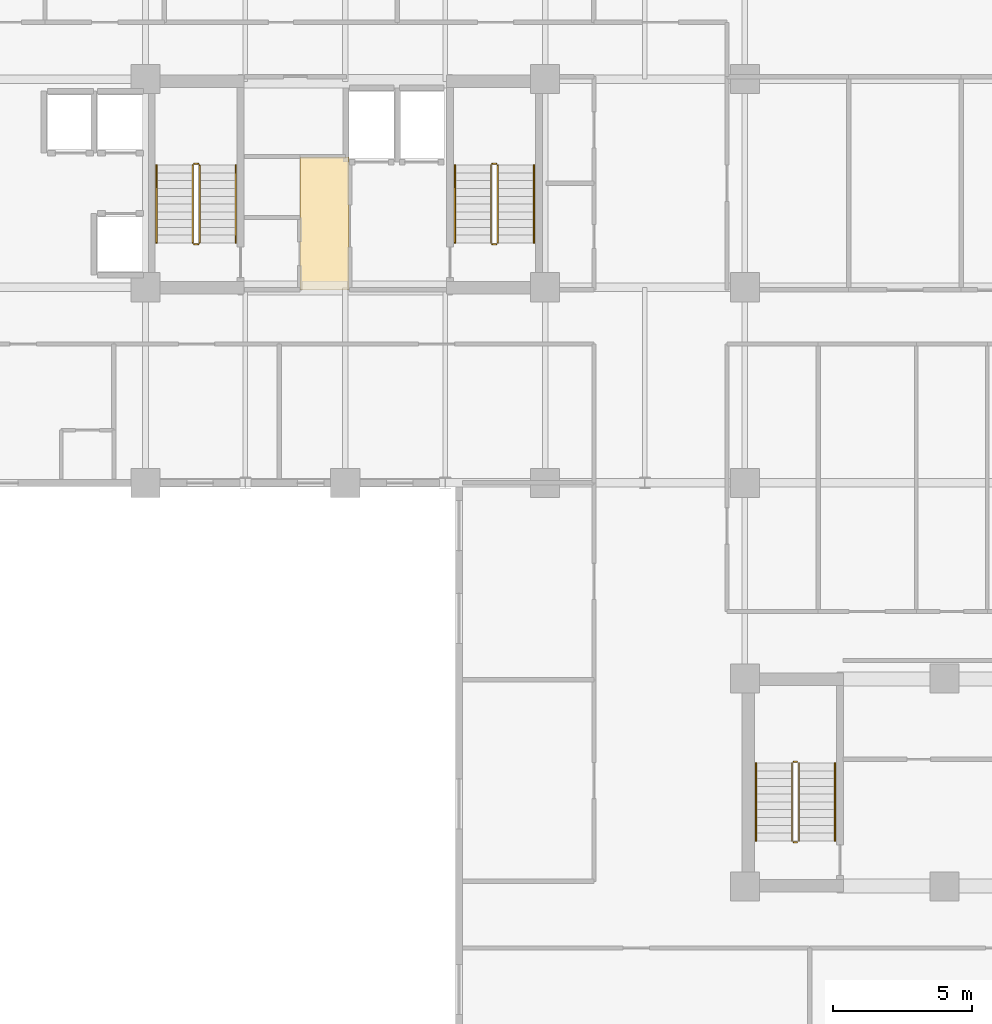
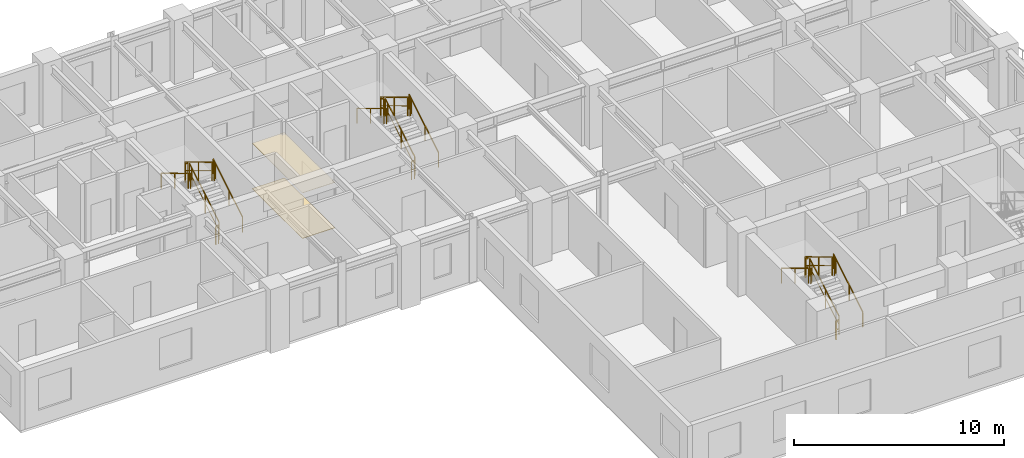
# One storey, part 10 of 12: 18 railings, 2 coverings.
"""IFC4 building model written with IfcOpenShell, lengths in metres."""

from ifc_helpers import new_model, si_unit, direction, frame, origin, origin_2d, place, context, subcontext, project, spatial, rectangle, extrude, source, transform, mapped, material, layer, layer_set, type_object, element, save


model = new_model("IFC4")

# Units and contexts
model_context = context("Model", 3, precision=1e-05, world=origin(), true_north=direction((0.0, 1.0)))
body_context = subcontext(model_context, "Body", "Model", "MODEL_VIEW")
ifc_project = project(units=[si_unit("LENGTHUNIT", "METRE"), si_unit("AREAUNIT", "SQUARE_METRE"), si_unit("VOLUMEUNIT", "CUBIC_METRE"), si_unit("PLANEANGLEUNIT", "RADIAN"), si_unit("MASSUNIT", "GRAM", prefix="KILO")], contexts=[model_context])

# Site, building, storey
site_placement = place(None, origin())
site = spatial("IfcSite", under=ifc_project, at=site_placement, CompositionType="ELEMENT")
building_placement = place(site_placement, origin())
building = spatial("IfcBuilding", under=site, at=building_placement, Name="Kaliganga Portal Commons", CompositionType="ELEMENT")
storey_placement = place(building_placement, frame((0.0, 0.0, 147.60009765625)))
storey = spatial("IfcBuildingStorey", under=building, at=storey_placement, Name="L37", CompositionType="ELEMENT", Elevation=147.60009765625)

# Railings
ifc_material_1 = material(Name="Galvanized Painted Steel Balustrade", Category="steel")
railing_type_1 = type_object("IfcRailingType", Name="RLG-STAIR-GRD", PredefinedType="GUARDRAIL", material=ifc_material_1)
railing_1_placement = place(storey_placement, frame((16.35009765625, 30.25, 0.16796875)))
element("IfcRailing", 1, at=railing_1_placement, inside=storey, type_object=railing_type_1, Name="L37 ST-A1 stair guard 1", PredefinedType="GUARDRAIL", context=body_context, shape_type="SweptSolid", body=[
    extrude(rectangle(XDim=0.048095703125, YDim=0.048095703125, at=origin_2d()), frame((0.0, 0.0, 1.072021484375), z_axis=(0.0, 0.857242210791, 0.514913383045), x_axis=(-1.0, 0.0, 0.0)), (0.0, 0.0, 1.0), 3.266357421875),
    extrude(rectangle(XDim=0.028076171875, YDim=0.028076171875, at=origin_2d()), frame((0.0, 0.0, 0.572021484375), z_axis=(0.0, 0.857242210791, 0.514913383045), x_axis=(-1.0, 0.0, 0.0)), (0.0, 0.0, 1.0), 3.266357421875),
    extrude(rectangle(XDim=0.0419921875, YDim=0.0419921875, at=origin_2d()), origin(), (0.0, 0.0, 1.0), 1.052001953125),
    extrude(rectangle(XDim=0.0419921875, YDim=0.0419921875, at=origin_2d()), frame((0.0, 1.285888671875, 0.7724609375)), (0.0, 0.0, 1.0), 1.052001953125),
    extrude(rectangle(XDim=0.0419921875, YDim=0.0419921875, at=origin_2d()), frame((0.0, 2.57177734375, 1.544677734375)), (0.0, 0.0, 1.0), 1.052001953125),
    extrude(rectangle(XDim=0.0419921875, YDim=0.0419921875, at=origin_2d()), frame((0.0, 2.800048828125, 1.681884765625)), (0.0, 0.0, 1.0), 1.052001953125),
])
railing_2_placement = place(storey_placement, frame((16.300048828125, 33.10009765625, 1.849853515625)))
element("IfcRailing", 2, at=railing_2_placement, inside=storey, type_object=railing_type_1, Name="L37 ST-A1 stair guard 2", PredefinedType="GUARDRAIL", context=body_context, shape_type="SweptSolid", body=[
    extrude(rectangle(XDim=0.048095703125, YDim=0.048095703125, at=origin_2d()), frame((0.0, 0.0, 1.076171875), z_axis=(-1.0, 0.0, 0.0), x_axis=(0.0, -1.0, 0.0)), (0.0, 0.0, 1.0), 0.150146484375),
    extrude(rectangle(XDim=0.028076171875, YDim=0.028076171875, at=origin_2d()), frame((0.0, 0.0, 0.572021484375), z_axis=(-1.0, 0.0, 0.0), x_axis=(0.0, -1.0, 0.0)), (0.0, 0.0, 1.0), 0.150146484375),
    extrude(rectangle(XDim=0.0419921875, YDim=0.0419921875, at=origin_2d()), origin(), (0.0, 0.0, 1.0), 1.052001953125),
    extrude(rectangle(XDim=0.0419921875, YDim=0.0419921875, at=origin_2d()), frame((-0.150146484375, 0.0, 0.0)), (0.0, 0.0, 1.0), 1.052001953125),
])
railing_3_placement = place(storey_placement, frame((16.10009765625, 33.050048828125, 2.01806640625)))
element("IfcRailing", 3, at=railing_3_placement, inside=storey, type_object=railing_type_1, Name="L37 ST-A1 stair guard 3", PredefinedType="GUARDRAIL", context=body_context, shape_type="SweptSolid", body=[
    extrude(rectangle(XDim=0.048095703125, YDim=0.048095703125, at=origin_2d()), frame((0.0, 0.0, 1.072021484375), z_axis=(0.0, -0.857242210791, 0.514913383045), x_axis=(1.0, 0.0, 0.0)), (0.0, 0.0, 1.0), 3.266357421875),
    extrude(rectangle(XDim=0.028076171875, YDim=0.028076171875, at=origin_2d()), frame((0.0, 0.0, 0.572021484375), z_axis=(0.0, -0.857242210791, 0.514913383045), x_axis=(1.0, 0.0, 0.0)), (0.0, 0.0, 1.0), 3.266357421875),
    extrude(rectangle(XDim=0.0419921875, YDim=0.0419921875, at=origin_2d()), origin(), (0.0, 0.0, 1.0), 1.052001953125),
    extrude(rectangle(XDim=0.0419921875, YDim=0.0419921875, at=origin_2d()), frame((0.0, -1.285888671875, 0.7724609375)), (0.0, 0.0, 1.0), 1.052001953125),
    extrude(rectangle(XDim=0.0419921875, YDim=0.0419921875, at=origin_2d()), frame((0.0, -2.57177734375, 1.544677734375)), (0.0, 0.0, 1.0), 1.052001953125),
    extrude(rectangle(XDim=0.0419921875, YDim=0.0419921875, at=origin_2d()), frame((0.0, -2.800048828125, 1.681884765625)), (0.0, 0.0, 1.0), 1.052001953125),
])
railing_4_placement = place(storey_placement, frame((16.300048828125, 30.199951171875, 0.0)))
element("IfcRailing", 4, at=railing_4_placement, inside=storey, type_object=railing_type_1, Name="L37 ST-A1 stair guard 4", PredefinedType="GUARDRAIL", context=body_context, shape_type="SweptSolid", body=[
    extrude(rectangle(XDim=0.048095703125, YDim=0.048095703125, at=origin_2d()), frame((0.0, 0.0, 1.076171875), z_axis=(-1.0, 0.0, 0.0), x_axis=(0.0, -1.0, 0.0)), (0.0, 0.0, 1.0), 0.150146484375),
    extrude(rectangle(XDim=0.028076171875, YDim=0.028076171875, at=origin_2d()), frame((0.0, 0.0, 0.572021484375), z_axis=(-1.0, 0.0, 0.0), x_axis=(0.0, -1.0, 0.0)), (0.0, 0.0, 1.0), 0.150146484375),
    extrude(rectangle(XDim=0.0419921875, YDim=0.0419921875, at=origin_2d()), origin(), (0.0, 0.0, 1.0), 1.052001953125),
    extrude(rectangle(XDim=0.0419921875, YDim=0.0419921875, at=origin_2d()), frame((-0.150146484375, 0.0, 0.0)), (0.0, 0.0, 1.0), 1.052001953125),
])
railing_5_placement = place(storey_placement, frame((27.10009765625, 30.25, 0.16796875)))
element("IfcRailing", 5, at=railing_5_placement, inside=storey, type_object=railing_type_1, Name="L37 ST-A2 stair guard 1", PredefinedType="GUARDRAIL", context=body_context, shape_type="SweptSolid", body=[
    extrude(rectangle(XDim=0.048095703125, YDim=0.048095703125, at=origin_2d()), frame((0.0, 0.0, 1.072021484375), z_axis=(0.0, 0.857242210791, 0.514913383045), x_axis=(-1.0, 0.0, 0.0)), (0.0, 0.0, 1.0), 3.266357421875),
    extrude(rectangle(XDim=0.028076171875, YDim=0.028076171875, at=origin_2d()), frame((0.0, 0.0, 0.572021484375), z_axis=(0.0, 0.857242210791, 0.514913383045), x_axis=(-1.0, 0.0, 0.0)), (0.0, 0.0, 1.0), 3.266357421875),
    extrude(rectangle(XDim=0.0419921875, YDim=0.0419921875, at=origin_2d()), origin(), (0.0, 0.0, 1.0), 1.052001953125),
    extrude(rectangle(XDim=0.0419921875, YDim=0.0419921875, at=origin_2d()), frame((0.0, 1.285888671875, 0.7724609375)), (0.0, 0.0, 1.0), 1.052001953125),
    extrude(rectangle(XDim=0.0419921875, YDim=0.0419921875, at=origin_2d()), frame((0.0, 2.57177734375, 1.544677734375)), (0.0, 0.0, 1.0), 1.052001953125),
    extrude(rectangle(XDim=0.0419921875, YDim=0.0419921875, at=origin_2d()), frame((0.0, 2.800048828125, 1.681884765625)), (0.0, 0.0, 1.0), 1.052001953125),
])
railing_6_placement = place(storey_placement, frame((27.050048828125, 33.10009765625, 1.849853515625)))
element("IfcRailing", 6, at=railing_6_placement, inside=storey, type_object=railing_type_1, Name="L37 ST-A2 stair guard 2", PredefinedType="GUARDRAIL", context=body_context, shape_type="SweptSolid", body=[
    extrude(rectangle(XDim=0.048095703125, YDim=0.048095703125, at=origin_2d()), frame((0.0, 0.0, 1.076171875), z_axis=(-1.0, 0.0, 0.0), x_axis=(0.0, -1.0, 0.0)), (0.0, 0.0, 1.0), 0.150146484375),
    extrude(rectangle(XDim=0.028076171875, YDim=0.028076171875, at=origin_2d()), frame((0.0, 0.0, 0.572021484375), z_axis=(-1.0, 0.0, 0.0), x_axis=(0.0, -1.0, 0.0)), (0.0, 0.0, 1.0), 0.150146484375),
    extrude(rectangle(XDim=0.0419921875, YDim=0.0419921875, at=origin_2d()), origin(), (0.0, 0.0, 1.0), 1.052001953125),
    extrude(rectangle(XDim=0.0419921875, YDim=0.0419921875, at=origin_2d()), frame((-0.150146484375, 0.0, 0.0)), (0.0, 0.0, 1.0), 1.052001953125),
])
railing_7_placement = place(storey_placement, frame((26.85009765625, 33.050048828125, 2.01806640625)))
element("IfcRailing", 7, at=railing_7_placement, inside=storey, type_object=railing_type_1, Name="L37 ST-A2 stair guard 3", PredefinedType="GUARDRAIL", context=body_context, shape_type="SweptSolid", body=[
    extrude(rectangle(XDim=0.048095703125, YDim=0.048095703125, at=origin_2d()), frame((0.0, 0.0, 1.072021484375), z_axis=(0.0, -0.857242210791, 0.514913383045), x_axis=(1.0, 0.0, 0.0)), (0.0, 0.0, 1.0), 3.266357421875),
    extrude(rectangle(XDim=0.028076171875, YDim=0.028076171875, at=origin_2d()), frame((0.0, 0.0, 0.572021484375), z_axis=(0.0, -0.857242210791, 0.514913383045), x_axis=(1.0, 0.0, 0.0)), (0.0, 0.0, 1.0), 3.266357421875),
    extrude(rectangle(XDim=0.0419921875, YDim=0.0419921875, at=origin_2d()), origin(), (0.0, 0.0, 1.0), 1.052001953125),
    extrude(rectangle(XDim=0.0419921875, YDim=0.0419921875, at=origin_2d()), frame((0.0, -1.285888671875, 0.7724609375)), (0.0, 0.0, 1.0), 1.052001953125),
    extrude(rectangle(XDim=0.0419921875, YDim=0.0419921875, at=origin_2d()), frame((0.0, -2.57177734375, 1.544677734375)), (0.0, 0.0, 1.0), 1.052001953125),
    extrude(rectangle(XDim=0.0419921875, YDim=0.0419921875, at=origin_2d()), frame((0.0, -2.800048828125, 1.681884765625)), (0.0, 0.0, 1.0), 1.052001953125),
])
railing_8_placement = place(storey_placement, frame((27.050048828125, 30.199951171875, 0.0)))
element("IfcRailing", 8, at=railing_8_placement, inside=storey, type_object=railing_type_1, Name="L37 ST-A2 stair guard 4", PredefinedType="GUARDRAIL", context=body_context, shape_type="SweptSolid", body=[
    extrude(rectangle(XDim=0.048095703125, YDim=0.048095703125, at=origin_2d()), frame((0.0, 0.0, 1.076171875), z_axis=(-1.0, 0.0, 0.0), x_axis=(0.0, -1.0, 0.0)), (0.0, 0.0, 1.0), 0.150146484375),
    extrude(rectangle(XDim=0.028076171875, YDim=0.028076171875, at=origin_2d()), frame((0.0, 0.0, 0.572021484375), z_axis=(-1.0, 0.0, 0.0), x_axis=(0.0, -1.0, 0.0)), (0.0, 0.0, 1.0), 0.150146484375),
    extrude(rectangle(XDim=0.0419921875, YDim=0.0419921875, at=origin_2d()), origin(), (0.0, 0.0, 1.0), 1.052001953125),
    extrude(rectangle(XDim=0.0419921875, YDim=0.0419921875, at=origin_2d()), frame((-0.150146484375, 0.0, 0.0)), (0.0, 0.0, 1.0), 1.052001953125),
])
railing_9_placement = place(storey_placement, frame((37.949951171875, 8.699951171875, 0.16796875)))
element("IfcRailing", 9, at=railing_9_placement, inside=storey, type_object=railing_type_1, Name="L37 ST-B1 stair guard 1", PredefinedType="GUARDRAIL", context=body_context, shape_type="SweptSolid", body=[
    extrude(rectangle(XDim=0.048095703125, YDim=0.048095703125, at=origin_2d()), frame((0.0, 0.0, 1.072021484375), z_axis=(0.0, 0.857242210791, 0.514913383045), x_axis=(-1.0, 0.0, 0.0)), (0.0, 0.0, 1.0), 3.266357421875),
    extrude(rectangle(XDim=0.028076171875, YDim=0.028076171875, at=origin_2d()), frame((0.0, 0.0, 0.572021484375), z_axis=(0.0, 0.857242210791, 0.514913383045), x_axis=(-1.0, 0.0, 0.0)), (0.0, 0.0, 1.0), 3.266357421875),
    extrude(rectangle(XDim=0.0419921875, YDim=0.0419921875, at=origin_2d()), origin(), (0.0, 0.0, 1.0), 1.052001953125),
    extrude(rectangle(XDim=0.0419921875, YDim=0.0419921875, at=origin_2d()), frame((0.0, 1.285888671875, 0.7724609375)), (0.0, 0.0, 1.0), 1.052001953125),
    extrude(rectangle(XDim=0.0419921875, YDim=0.0419921875, at=origin_2d()), frame((0.0, 2.57177734375, 1.544677734375)), (0.0, 0.0, 1.0), 1.052001953125),
    extrude(rectangle(XDim=0.0419921875, YDim=0.0419921875, at=origin_2d()), frame((0.0, 2.800048828125, 1.681884765625)), (0.0, 0.0, 1.0), 1.052001953125),
])
railing_10_placement = place(storey_placement, frame((37.89990234375, 11.550048828125, 1.849853515625)))
element("IfcRailing", 10, at=railing_10_placement, inside=storey, type_object=railing_type_1, Name="L37 ST-B1 stair guard 2", PredefinedType="GUARDRAIL", context=body_context, shape_type="SweptSolid", body=[
    extrude(rectangle(XDim=0.048095703125, YDim=0.048095703125, at=origin_2d()), frame((0.0, 0.0, 1.076171875), z_axis=(-1.0, 0.0, 0.0), x_axis=(0.0, -1.0, 0.0)), (0.0, 0.0, 1.0), 0.14990234375),
    extrude(rectangle(XDim=0.028076171875, YDim=0.028076171875, at=origin_2d()), frame((0.0, 0.0, 0.572021484375), z_axis=(-1.0, 0.0, 0.0), x_axis=(0.0, -1.0, 0.0)), (0.0, 0.0, 1.0), 0.14990234375),
    extrude(rectangle(XDim=0.0419921875, YDim=0.0419921875, at=origin_2d()), frame((-0.14990234375, 0.0, 0.0)), (0.0, 0.0, 1.0), 1.052001953125),
])
railing_11_placement = place(storey_placement, frame((37.699951171875, 11.5, 2.01806640625)))
element("IfcRailing", 11, at=railing_11_placement, inside=storey, type_object=railing_type_1, Name="L37 ST-B1 stair guard 3", PredefinedType="GUARDRAIL", context=body_context, shape_type="SweptSolid", body=[
    extrude(rectangle(XDim=0.048095703125, YDim=0.048095703125, at=origin_2d()), frame((0.0, 0.0, 1.072021484375), z_axis=(0.0, -0.857242210791, 0.514913383045), x_axis=(1.0, 0.0, 0.0)), (0.0, 0.0, 1.0), 3.266357421875),
    extrude(rectangle(XDim=0.028076171875, YDim=0.028076171875, at=origin_2d()), frame((0.0, 0.0, 0.572021484375), z_axis=(0.0, -0.857242210791, 0.514913383045), x_axis=(1.0, 0.0, 0.0)), (0.0, 0.0, 1.0), 3.266357421875),
    extrude(rectangle(XDim=0.0419921875, YDim=0.0419921875, at=origin_2d()), origin(), (0.0, 0.0, 1.0), 1.052001953125),
    extrude(rectangle(XDim=0.0419921875, YDim=0.0419921875, at=origin_2d()), frame((0.0, -1.285888671875, 0.7724609375)), (0.0, 0.0, 1.0), 1.052001953125),
    extrude(rectangle(XDim=0.0419921875, YDim=0.0419921875, at=origin_2d()), frame((0.0, -2.57177734375, 1.544677734375)), (0.0, 0.0, 1.0), 1.052001953125),
    extrude(rectangle(XDim=0.0419921875, YDim=0.0419921875, at=origin_2d()), frame((0.0, -2.800048828125, 1.681884765625)), (0.0, 0.0, 1.0), 1.052001953125),
])
railing_12_placement = place(storey_placement, frame((37.89990234375, 8.64990234375, 0.0)))
element("IfcRailing", 12, at=railing_12_placement, inside=storey, type_object=railing_type_1, Name="L37 ST-B1 stair guard 4", PredefinedType="GUARDRAIL", context=body_context, shape_type="SweptSolid", body=[
    extrude(rectangle(XDim=0.048095703125, YDim=0.048095703125, at=origin_2d()), frame((0.0, 0.0, 1.076171875), z_axis=(-1.0, 0.0, 0.0), x_axis=(0.0, -1.0, 0.0)), (0.0, 0.0, 1.0), 0.14990234375),
    extrude(rectangle(XDim=0.028076171875, YDim=0.028076171875, at=origin_2d()), frame((0.0, 0.0, 0.572021484375), z_axis=(-1.0, 0.0, 0.0), x_axis=(0.0, -1.0, 0.0)), (0.0, 0.0, 1.0), 0.14990234375),
    extrude(rectangle(XDim=0.0419921875, YDim=0.0419921875, at=origin_2d()), frame((-0.14990234375, 0.0, 0.0)), (0.0, 0.0, 1.0), 1.052001953125),
])
ifc_material_2 = material(Name="Brushed Stainless Steel 316", Category="steel")
railing_type_2 = type_object("IfcRailingType", Name="RLG-STAIR-HR", PredefinedType="HANDRAIL", material=ifc_material_2)
railing_13_placement = place(storey_placement, frame((17.64990234375, 30.25, 0.16796875)))
element("IfcRailing", 13, at=railing_13_placement, inside=storey, type_object=railing_type_2, Name="L37 ST-A1 stair handrail 1", PredefinedType="HANDRAIL", context=body_context, shape_type="SweptSolid", body=[
    extrude(rectangle(XDim=0.048095703125, YDim=0.048095703125, at=origin_2d()), frame((0.0, 0.0, 0.871826171875), z_axis=(0.0, 0.857242210791, 0.514913383045), x_axis=(-1.0, 0.0, 0.0)), (0.0, 0.0, 1.0), 3.266357421875),
    extrude(rectangle(XDim=0.0419921875, YDim=0.0419921875, at=origin_2d()), origin(), (0.0, 0.0, 1.0), 0.851806640625),
    extrude(rectangle(XDim=0.0419921875, YDim=0.0419921875, at=origin_2d()), frame((0.0, 1.285888671875, 0.7724609375)), (0.0, 0.0, 1.0), 0.851806640625),
    extrude(rectangle(XDim=0.0419921875, YDim=0.0419921875, at=origin_2d()), frame((0.0, 2.57177734375, 1.544677734375)), (0.0, 0.0, 1.0), 0.851806640625),
    extrude(rectangle(XDim=0.0419921875, YDim=0.0419921875, at=origin_2d()), frame((0.0, 2.800048828125, 1.681884765625)), (0.0, 0.0, 1.0), 0.851806640625),
])
railing_14_placement = place(storey_placement, frame((14.800048828125, 33.050048828125, 2.01806640625)))
element("IfcRailing", 14, at=railing_14_placement, inside=storey, type_object=railing_type_2, Name="L37 ST-A1 stair handrail 2", PredefinedType="HANDRAIL", context=body_context, shape_type="SweptSolid", body=[
    extrude(rectangle(XDim=0.048095703125, YDim=0.048095703125, at=origin_2d()), frame((0.0, 0.0, 0.871826171875), z_axis=(0.0, -0.857242210791, 0.514913383045), x_axis=(1.0, 0.0, 0.0)), (0.0, 0.0, 1.0), 3.266357421875),
    extrude(rectangle(XDim=0.0419921875, YDim=0.0419921875, at=origin_2d()), origin(), (0.0, 0.0, 1.0), 0.851806640625),
    extrude(rectangle(XDim=0.0419921875, YDim=0.0419921875, at=origin_2d()), frame((0.0, -1.285888671875, 0.7724609375)), (0.0, 0.0, 1.0), 0.851806640625),
    extrude(rectangle(XDim=0.0419921875, YDim=0.0419921875, at=origin_2d()), frame((0.0, -2.57177734375, 1.544677734375)), (0.0, 0.0, 1.0), 0.851806640625),
    extrude(rectangle(XDim=0.0419921875, YDim=0.0419921875, at=origin_2d()), frame((0.0, -2.800048828125, 1.681884765625)), (0.0, 0.0, 1.0), 0.851806640625),
])
railing_15_placement = place(storey_placement, frame((28.39990234375, 30.25, 0.16796875)))
element("IfcRailing", 15, at=railing_15_placement, inside=storey, type_object=railing_type_2, Name="L37 ST-A2 stair handrail 1", PredefinedType="HANDRAIL", context=body_context, shape_type="SweptSolid", body=[
    extrude(rectangle(XDim=0.048095703125, YDim=0.048095703125, at=origin_2d()), frame((0.0, 0.0, 0.871826171875), z_axis=(0.0, 0.857242210791, 0.514913383045), x_axis=(-1.0, 0.0, 0.0)), (0.0, 0.0, 1.0), 3.266357421875),
    extrude(rectangle(XDim=0.0419921875, YDim=0.0419921875, at=origin_2d()), origin(), (0.0, 0.0, 1.0), 0.851806640625),
    extrude(rectangle(XDim=0.0419921875, YDim=0.0419921875, at=origin_2d()), frame((0.0, 1.285888671875, 0.7724609375)), (0.0, 0.0, 1.0), 0.851806640625),
    extrude(rectangle(XDim=0.0419921875, YDim=0.0419921875, at=origin_2d()), frame((0.0, 2.57177734375, 1.544677734375)), (0.0, 0.0, 1.0), 0.851806640625),
    extrude(rectangle(XDim=0.0419921875, YDim=0.0419921875, at=origin_2d()), frame((0.0, 2.800048828125, 1.681884765625)), (0.0, 0.0, 1.0), 0.851806640625),
])
railing_16_placement = place(storey_placement, frame((25.550048828125, 33.050048828125, 2.01806640625)))
element("IfcRailing", 16, at=railing_16_placement, inside=storey, type_object=railing_type_2, Name="L37 ST-A2 stair handrail 2", PredefinedType="HANDRAIL", context=body_context, shape_type="SweptSolid", body=[
    extrude(rectangle(XDim=0.048095703125, YDim=0.048095703125, at=origin_2d()), frame((0.0, 0.0, 0.871826171875), z_axis=(0.0, -0.857242210791, 0.514913383045), x_axis=(1.0, 0.0, 0.0)), (0.0, 0.0, 1.0), 3.266357421875),
    extrude(rectangle(XDim=0.0419921875, YDim=0.0419921875, at=origin_2d()), origin(), (0.0, 0.0, 1.0), 0.851806640625),
    extrude(rectangle(XDim=0.0419921875, YDim=0.0419921875, at=origin_2d()), frame((0.0, -1.285888671875, 0.7724609375)), (0.0, 0.0, 1.0), 0.851806640625),
    extrude(rectangle(XDim=0.0419921875, YDim=0.0419921875, at=origin_2d()), frame((0.0, -2.57177734375, 1.544677734375)), (0.0, 0.0, 1.0), 0.851806640625),
    extrude(rectangle(XDim=0.0419921875, YDim=0.0419921875, at=origin_2d()), frame((0.0, -2.800048828125, 1.681884765625)), (0.0, 0.0, 1.0), 0.851806640625),
])
railing_17_placement = place(storey_placement, frame((39.25, 8.699951171875, 0.16796875)))
element("IfcRailing", 17, at=railing_17_placement, inside=storey, type_object=railing_type_2, Name="L37 ST-B1 stair handrail 1", PredefinedType="HANDRAIL", context=body_context, shape_type="SweptSolid", body=[
    extrude(rectangle(XDim=0.048095703125, YDim=0.048095703125, at=origin_2d()), frame((0.0, 0.0, 0.871826171875), z_axis=(0.0, 0.857242210791, 0.514913383045), x_axis=(-1.0, 0.0, 0.0)), (0.0, 0.0, 1.0), 3.266357421875),
    extrude(rectangle(XDim=0.0419921875, YDim=0.0419921875, at=origin_2d()), origin(), (0.0, 0.0, 1.0), 0.851806640625),
    extrude(rectangle(XDim=0.0419921875, YDim=0.0419921875, at=origin_2d()), frame((0.0, 1.285888671875, 0.7724609375)), (0.0, 0.0, 1.0), 0.851806640625),
    extrude(rectangle(XDim=0.0419921875, YDim=0.0419921875, at=origin_2d()), frame((0.0, 2.57177734375, 1.544677734375)), (0.0, 0.0, 1.0), 0.851806640625),
    extrude(rectangle(XDim=0.0419921875, YDim=0.0419921875, at=origin_2d()), frame((0.0, 2.800048828125, 1.681884765625)), (0.0, 0.0, 1.0), 0.851806640625),
])
railing_18_placement = place(storey_placement, frame((36.39990234375, 11.5, 2.01806640625)))
element("IfcRailing", 18, at=railing_18_placement, inside=storey, type_object=railing_type_2, Name="L37 ST-B1 stair handrail 2", PredefinedType="HANDRAIL", context=body_context, shape_type="SweptSolid", body=[
    extrude(rectangle(XDim=0.048095703125, YDim=0.048095703125, at=origin_2d()), frame((0.0, 0.0, 0.871826171875), z_axis=(0.0, -0.857242210791, 0.514913383045), x_axis=(1.0, 0.0, 0.0)), (0.0, 0.0, 1.0), 3.266357421875),
    extrude(rectangle(XDim=0.0419921875, YDim=0.0419921875, at=origin_2d()), origin(), (0.0, 0.0, 1.0), 0.851806640625),
    extrude(rectangle(XDim=0.0419921875, YDim=0.0419921875, at=origin_2d()), frame((0.0, -1.285888671875, 0.7724609375)), (0.0, 0.0, 1.0), 0.851806640625),
    extrude(rectangle(XDim=0.0419921875, YDim=0.0419921875, at=origin_2d()), frame((0.0, -2.57177734375, 1.544677734375)), (0.0, 0.0, 1.0), 0.851806640625),
    extrude(rectangle(XDim=0.0419921875, YDim=0.0419921875, at=origin_2d()), frame((0.0, -2.800048828125, 1.681884765625)), (0.0, 0.0, 1.0), 0.851806640625),
])

# Coverings
ifc_material_3 = material(Name="Acoustic Micro-Perforated Gypsum Ceiling", Category="gypsum")
ifc_layer_1 = layer(ifc_material_3, 0.02001953125)
ifc_layer_set_1 = layer_set([ifc_layer_1], Name="Acoustic Micro-Perforated Gypsum Ceiling")
covering_type_1 = type_object("IfcCoveringType", Name="COV-CEIL-GYP", PredefinedType="CEILING", material=ifc_layer_set_1)
shared_shape_1 = source(origin(), body_context, "Body", "SweptSolid", [
    extrude(rectangle(XDim=1.780029296875, YDim=4.780029296875, at=origin_2d()), origin(), (0.0, 0.0, 1.0), 0.02001953125),
])
covering_1_placement = place(storey_placement, frame((20.85009765625, 30.949951171875, 2.639892578125), z_axis=(0.0, 0.0, 1.0), x_axis=(1.0, 0.0, 0.0)))
element("IfcCovering", 19, at=covering_1_placement, inside=storey, type_object=covering_type_1, Name="Acoustic Ceiling L37 PLOB_A", PredefinedType="CEILING", context=body_context, shape_type="MappedRepresentation", body=[
    mapped(shared_shape_1, transform((0.0, 0.0, 0.0), x_axis=(1.0, 0.0, 0.0), y_axis=(0.0, 1.0, 0.0), z_axis=(0.0, 0.0, 1.0), scale=1.0)),
])
ifc_material_4 = material(Name="Polished Sylhet Stone Terrazzo Flooring", Category="masonry")
ifc_layer_2 = layer(ifc_material_4, 0.02490234375)
ifc_layer_set_2 = layer_set([ifc_layer_2], Name="Polished Sylhet Stone Terrazzo Flooring")
covering_type_2 = type_object("IfcCoveringType", Name="COV-FLR-TERRAZZO", PredefinedType="FLOORING", material=ifc_layer_set_2)
shared_shape_2 = source(origin(), body_context, "Body", "SweptSolid", [
    extrude(rectangle(XDim=1.780029296875, YDim=4.780029296875, at=origin_2d()), origin(), (0.0, 0.0, 1.0), 0.02490234375),
])
covering_2_placement = place(storey_placement, frame((20.85009765625, 30.949951171875, 0.00048828125), z_axis=(0.0, 0.0, 1.0), x_axis=(1.0, 0.0, 0.0)))
element("IfcCovering", 20, at=covering_2_placement, inside=storey, type_object=covering_type_2, Name="Terrazzo Flooring L37 PLOB_A", PredefinedType="FLOORING", context=body_context, shape_type="MappedRepresentation", body=[
    mapped(shared_shape_2, transform((0.0, 0.0, 0.0), x_axis=(1.0, 0.0, 0.0), y_axis=(0.0, 1.0, 0.0), z_axis=(0.0, 0.0, 1.0), scale=1.0)),
])

save(model, "model.ifc")
